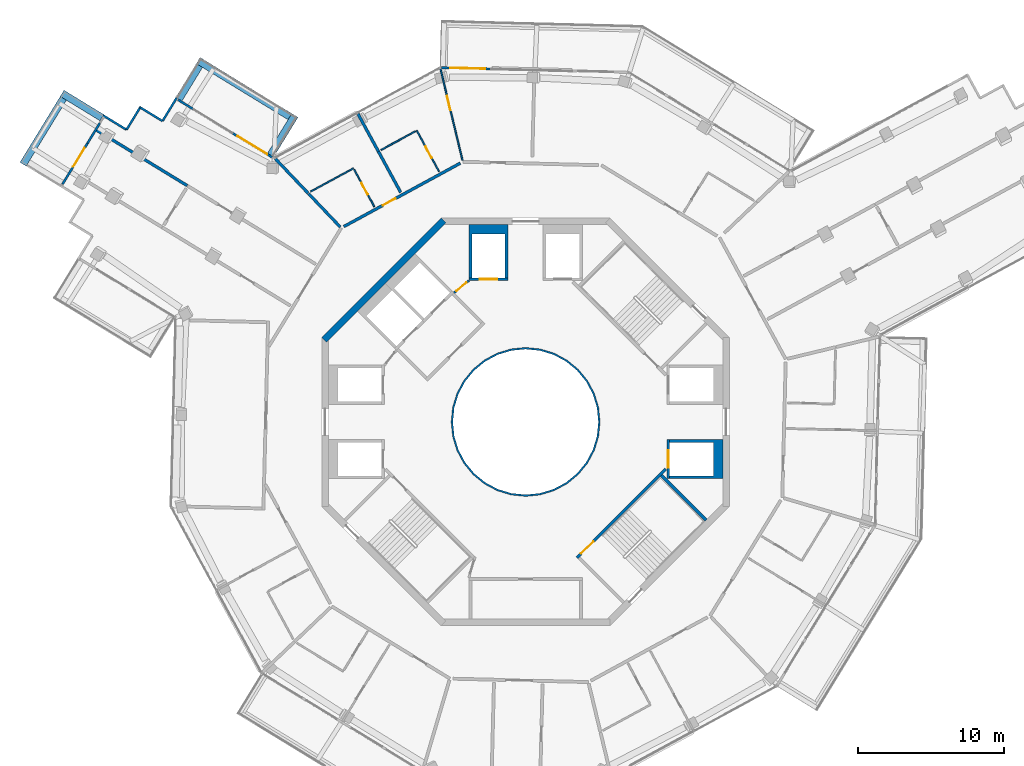
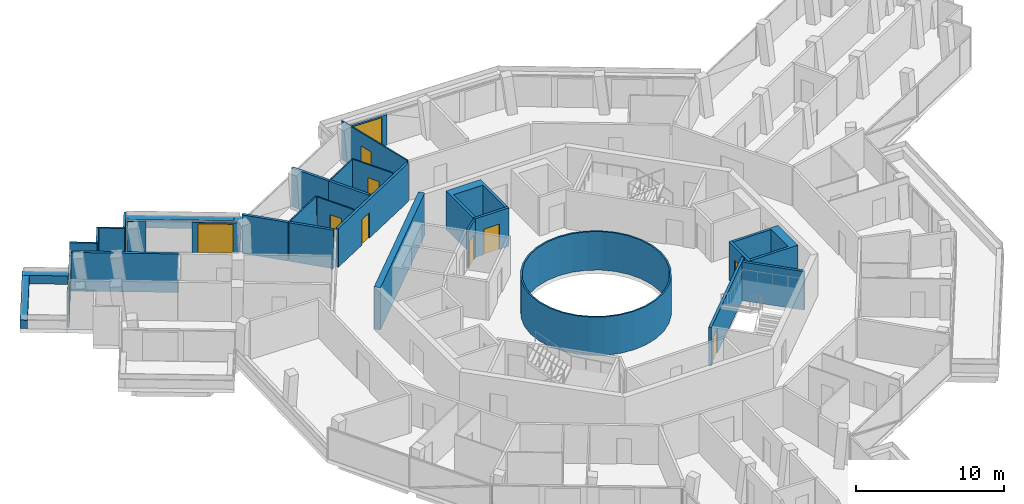
# One storey, part 19 of 24: 34 walls, 11 doors, 11 openings.
"""IFC4 building model written with IfcOpenShell, lengths in metres."""

from ifc_helpers import new_model, si_unit, direction, frame, frame_2d, origin, place, context, subcontext, project, spatial, polyline, rectangle, outline, extrude, material, layer, layer_set, type_object, element, fill, save


model = new_model("IFC4")

# Units and contexts
model_context = context("Model", 3, precision=1e-05, world=origin(), true_north=direction((0.0, 1.0)))
body_context = subcontext(model_context, "Body", "Model", "MODEL_VIEW")
ifc_project = project(units=[si_unit("LENGTHUNIT", "METRE"), si_unit("AREAUNIT", "SQUARE_METRE"), si_unit("VOLUMEUNIT", "CUBIC_METRE"), si_unit("PLANEANGLEUNIT", "RADIAN"), si_unit("MASSUNIT", "GRAM", prefix="KILO")], contexts=[model_context])

# Site, building, storey
site_placement = place(None, origin())
site = spatial("IfcSite", under=ifc_project, at=site_placement, CompositionType="ELEMENT")
building_placement = place(site_placement, origin())
building = spatial("IfcBuilding", under=site, at=building_placement, Name="Verdalira Terraces Hotel", CompositionType="ELEMENT")
storey_placement = place(building_placement, frame((0.0, 0.0, 274.0)))
storey = spatial("IfcBuildingStorey", under=building, at=storey_placement, Name="L67", CompositionType="ELEMENT", Elevation=274.0)

# Walls
ifc_material_1 = material(Name="Fire-resisting glass EI 180", Category="glass")
ifc_layer_1 = layer(ifc_material_1, 0.1201171875)
ifc_layer_set_1 = layer_set([ifc_layer_1], Name="Atrium fire screen 120 mm")
wall_type_1 = type_object("IfcWallType", Name="Atrium fire screen 120 mm", PredefinedType="SOLIDWALL", material=ifc_layer_set_1)
wall_1_placement = place(storey_placement, origin())
element("IfcWall", 1, at=wall_1_placement, inside=storey, type_object=wall_type_1, Name="Atrium fire screen", PredefinedType="SOLIDWALL", context=body_context, shape_type="SweptSolid", body=[
    extrude(outline(polyline([(5.021484, -0.998779), (4.730225, -1.959229), (4.25708, -2.844482), (3.620361, -3.620361), (2.844482, -4.25708), (1.959229, -4.730225), (0.998779, -5.021484), (0.0, -5.120117), (-0.998779, -5.021484), (-1.959229, -4.730225), (-2.844482, -4.25708), (-3.620361, -3.620361), (-4.25708, -2.844482), (-4.730225, -1.959229), (-5.021484, -0.998779), (-5.120117, 0.0), (-5.021484, 0.998779), (-4.730225, 1.959229), (-4.25708, 2.844482), (-3.620361, 3.620361), (-2.844482, 4.25708), (-1.959229, 4.730225), (-0.998779, 5.021484), (0.0, 5.120117), (0.998779, 5.021484), (1.959229, 4.730225), (2.844482, 4.25708), (3.620361, 3.620361), (4.25708, 2.844482), (4.730225, 1.959229), (5.021484, 0.998779), (5.120117, 0.0), (5.021484, -0.998779)]), holes=[polyline([(4.903809, 0.975586), (4.619385, 1.91333), (4.157227, 2.777832), (3.5354, 3.5354), (2.777832, 4.157227), (1.91333, 4.619385), (0.975586, 4.903809), (0.0, 5.0), (-0.975586, 4.903809), (-1.91333, 4.619385), (-2.777832, 4.157227), (-3.5354, 3.5354), (-4.157227, 2.777832), (-4.619385, 1.91333), (-4.903809, 0.975586), (-5.0, 0.0), (-4.903809, -0.975586), (-4.619385, -1.91333), (-4.157227, -2.777832), (-3.5354, -3.5354), (-2.777832, -4.157227), (-1.91333, -4.619385), (-0.975586, -4.903809), (0.0, -5.0), (0.975586, -4.903809), (1.91333, -4.619385), (2.777832, -4.157227), (3.5354, -3.5354), (4.157227, -2.777832), (4.619385, -1.91333), (4.903809, -0.975586), (5.0, 0.0), (4.903809, 0.975586)])]), origin(), (0.0, 0.0, 1.0), 3.189941),
])
ifc_material_2 = material(Name="Concrete C40", Category="concrete")
ifc_layer_2 = layer(ifc_material_2, 0.5)
ifc_layer_set_2 = layer_set([ifc_layer_2], Name="Balcony planter trough with tree")
wall_type_2 = type_object("IfcWallType", Name="Balcony planter trough with tree", PredefinedType="SOLIDWALL", material=ifc_layer_set_2)
wall_2_placement = place(storey_placement, frame((-29.112305, 20.904053, 0.0), z_axis=(0.0, 0.0, 1.0), x_axis=(-0.853166735, 0.521638307, 0.0)))
element("IfcWall", 2, at=wall_2_placement, inside=storey, type_object=wall_type_2, Name="Balcony planter", PredefinedType="SOLIDWALL", context=body_context, shape_type="SweptSolid", body=[
    extrude(rectangle(XDim=3.198975, YDim=0.5, at=frame_2d((1.599609, 0.0))), origin(), (0.0, 0.0, 1.0), 0.699951),
])
wall_3_placement = place(storey_placement, frame((-31.758789, 22.229004, 0.0), z_axis=(0.0, 0.0, 1.0), x_axis=(-0.521604658, -0.853187307, 0.0)))
element("IfcWall", 3, at=wall_3_placement, inside=storey, type_object=wall_type_2, Name="Balcony planter", PredefinedType="SOLIDWALL", context=body_context, shape_type="SweptSolid", body=[
    extrude(rectangle(XDim=5.299805, YDim=0.5, at=frame_2d((2.649902, 0.0))), origin(), (0.0, 0.0, 1.0), 0.699951),
])
wall_4_placement = place(storey_placement, frame((-17.519287, 18.330322, 0.0), z_axis=(0.0, 0.0, 1.0), x_axis=(0.521638307, 0.853166735, 0.0)))
element("IfcWall", 4, at=wall_4_placement, inside=storey, type_object=wall_type_2, Name="Balcony planter", PredefinedType="SOLIDWALL", context=body_context, shape_type="SweptSolid", body=[
    extrude(rectangle(XDim=3.198975, YDim=0.5, at=frame_2d((1.599609, 0.0))), origin(), (0.0, 0.0, 1.0), 0.699951),
])
wall_5_placement = place(storey_placement, frame((-16.194336, 20.976807, 0.0), z_axis=(0.0, 0.0, 1.0), x_axis=(-0.853203348, 0.521578419, 0.0)))
element("IfcWall", 5, at=wall_5_placement, inside=storey, type_object=wall_type_2, Name="Balcony planter", PredefinedType="SOLIDWALL", context=body_context, shape_type="SweptSolid", body=[
    extrude(rectangle(XDim=7.382568, YDim=0.5, at=frame_2d((3.691406, 0.0))), origin(), (0.0, 0.0, 1.0), 0.699951),
])
wall_6_placement = place(storey_placement, frame((-22.410156, 24.483887, 0.0), z_axis=(0.0, 0.0, 1.0), x_axis=(-0.521581727, -0.853201326, 0.0)))
element("IfcWall", 6, at=wall_6_placement, inside=storey, type_object=wall_type_2, Name="Balcony planter", PredefinedType="SOLIDWALL", context=body_context, shape_type="SweptSolid", body=[
    extrude(rectangle(XDim=2.698975, YDim=0.5, at=frame_2d((1.349609, 0.0))), origin(), (0.0, 0.0, 1.0), 0.699951),
])
ifc_material_3 = material(Name="Moisture-resistant gypsum board partition")
ifc_layer_3 = layer(ifc_material_3, 0.10009765625)
ifc_layer_set_3 = layer_set([ifc_layer_3], Name="Bathroom partition 100 mm")
wall_type_3 = type_object("IfcWallType", Name="Bathroom partition 100 mm", PredefinedType="PARTITIONING", material=ifc_layer_set_3)
wall_7_placement = place(storey_placement, frame((-14.770264, 15.822266, 0.0), z_axis=(0.0, 0.0, 1.0), x_axis=(0.878304625, 0.478101439, 0.0)))
element("IfcWall", 7, at=wall_7_placement, inside=storey, type_object=wall_type_3, Name="Bathroom partition", PredefinedType="PARTITIONING", context=body_context, shape_type="SweptSolid", body=[
    extrude(rectangle(XDim=3.350342, YDim=0.100098, at=frame_2d((1.675293, 0.0))), origin(), (0.0, 0.0, 1.0), 3.189941),
])

# Wall, opening, door
wall_8_placement = place(storey_placement, frame((-10.393311, 14.789062, 0.0), z_axis=(0.0, 0.0, 1.0), x_axis=(-0.478091061, 0.878310274, 0.0)))
wall_8 = element("IfcWall", 8, at=wall_8_placement, inside=storey, type_object=wall_type_3, Name="Bathroom partition", PredefinedType="PARTITIONING", context=body_context, shape_type="SweptSolid", body=[
    extrude(rectangle(XDim=2.899902, YDim=0.100098, at=frame_2d((1.449951, 0.0))), origin(), (0.0, 0.0, 1.0), 3.189941),
])
opening_1_placement = place(wall_8_placement, frame((0.949951, 0.0, 0.0)))
opening_1 = element("IfcOpeningElement", 9, at=opening_1_placement, cuts=wall_8, Name="Opening L67-134", PredefinedType="OPENING", context=body_context, shape_type="SweptSolid", body=[
    extrude(rectangle(XDim=0.899902, YDim=2.100098, at=frame_2d((0.449951, 1.050049))), frame((0.0, 0.060059, 0.0), z_axis=(0.0, -1.0, 0.0), x_axis=(1.0, 0.0, 0.0)), (0.0, 0.0, 1.0), 0.120117),
])
ifc_material_4 = material(Name="Timber door", Category="wood")
door_type_1 = type_object("IfcDoorType", Name="Bathroom door 900 x 2100", OperationType="NOTDEFINED", PredefinedType="DOOR", material=ifc_material_4)
door_1_placement = place(opening_1_placement, origin())
door_1 = element("IfcDoor", 10, at=door_1_placement, inside=storey, type_object=door_type_1, Name="Bathroom door 6711", OperationType="SINGLE_SWING_RIGHT", OverallHeight=2.10009765625, OverallWidth=0.89990234375, PredefinedType="DOOR", context=body_context, shape_type="SweptSolid", body=[
    extrude(rectangle(XDim=0.899902, YDim=2.100098, at=frame_2d((0.449951, 1.050049))), frame((0.0, 0.024902, 0.0), z_axis=(0.0, -1.0, 0.0), x_axis=(1.0, 0.0, 0.0)), (0.0, 0.0, 1.0), 0.050049),
])
fill(opening_1, door_1)

# Wall
wall_9_placement = place(storey_placement, frame((-7.568115, 19.970215, 0.0), z_axis=(0.0, 0.0, 1.0), x_axis=(-0.878296088, -0.478117121, 0.0)))
element("IfcWall", 11, at=wall_9_placement, inside=storey, type_object=wall_type_3, Name="Bathroom partition", PredefinedType="PARTITIONING", context=body_context, shape_type="SweptSolid", body=[
    extrude(rectangle(XDim=2.700195, YDim=0.100098, at=frame_2d((1.350098, 0.0))), origin(), (0.0, 0.0, 1.0), 3.189941),
])

# Wall, opening, door
wall_10_placement = place(storey_placement, frame((-5.950439, 17.207275, 0.0), z_axis=(0.0, 0.0, 1.0), x_axis=(-0.478098304, 0.878306331, 0.0)))
wall_10 = element("IfcWall", 12, at=wall_10_placement, inside=storey, type_object=wall_type_3, Name="Bathroom partition", PredefinedType="PARTITIONING", context=body_context, shape_type="SweptSolid", body=[
    extrude(rectangle(XDim=3.200195, YDim=0.100098, at=frame_2d((1.600098, 0.0))), origin(), (0.0, 0.0, 1.0), 3.189941),
])
opening_2_placement = place(wall_10_placement, frame((1.050049, 0.0, 0.0)))
opening_2 = element("IfcOpeningElement", 13, at=opening_2_placement, cuts=wall_10, Name="Opening L67-132", PredefinedType="OPENING", context=body_context, shape_type="SweptSolid", body=[
    extrude(rectangle(XDim=0.899902, YDim=2.100098, at=frame_2d((0.449951, 1.050049))), frame((0.0, 0.060059, 0.0), z_axis=(0.0, -1.0, 0.0), x_axis=(1.0, 0.0, 0.0)), (0.0, 0.0, 1.0), 0.120117),
])
door_2_placement = place(opening_2_placement, origin())
door_2 = element("IfcDoor", 14, at=door_2_placement, inside=storey, type_object=door_type_1, Name="Bathroom door 6710", OperationType="SINGLE_SWING_RIGHT", OverallHeight=2.10009765625, OverallWidth=0.89990234375, PredefinedType="DOOR", context=body_context, shape_type="SweptSolid", body=[
    extrude(rectangle(XDim=0.899902, YDim=2.100098, at=frame_2d((0.449951, 1.050049))), frame((0.0, 0.024902, 0.0), z_axis=(0.0, -1.0, 0.0), x_axis=(1.0, 0.0, 0.0)), (0.0, 0.0, 1.0), 0.050049),
])
fill(opening_2, door_2)

wall_11_placement = place(storey_placement, frame((-4.334717, 17.9729, 0.0), z_axis=(0.0, 0.0, 1.0), x_axis=(-0.234490664, 0.972118372, 0.0)))
wall_11 = element("IfcWall", 15, at=wall_11_placement, inside=storey, type_object=wall_type_3, Name="Bathroom partition", PredefinedType="PARTITIONING", context=body_context, shape_type="SweptSolid", body=[
    extrude(rectangle(XDim=6.476074, YDim=0.100098, at=frame_2d((3.238037, 0.0))), origin(), (0.0, 0.0, 1.0), 3.189941),
])
opening_3_placement = place(wall_11_placement, frame((3.550049, 0.0, 0.0)))
opening_3 = element("IfcOpeningElement", 16, at=opening_3_placement, cuts=wall_11, Name="Opening L67-131", PredefinedType="OPENING", context=body_context, shape_type="SweptSolid", body=[
    extrude(rectangle(XDim=1.0, YDim=2.100098, at=frame_2d((0.5, 1.050049))), frame((0.0, 0.060059, 0.0), z_axis=(0.0, -1.0, 0.0), x_axis=(1.0, 0.0, 0.0)), (0.0, 0.0, 1.0), 0.120117),
])
ifc_material_5 = material(Name="Timber door", Category="wood")
door_type_2 = type_object("IfcDoorType", Name="Suite internal door 1000 x 2100", OperationType="NOTDEFINED", PredefinedType="DOOR", material=ifc_material_5)
door_3_placement = place(opening_3_placement, origin())
door_3 = element("IfcDoor", 17, at=door_3_placement, inside=storey, type_object=door_type_2, Name="Suite internal door 6710", OperationType="SINGLE_SWING_LEFT", OverallHeight=2.10009765625, OverallWidth=1.0, PredefinedType="DOOR", context=body_context, shape_type="SweptSolid", body=[
    extrude(rectangle(XDim=1.0, YDim=2.100098, at=frame_2d((0.5, 1.050049))), frame((0.0, 0.024902, 0.0), z_axis=(0.0, -1.0, 0.0), x_axis=(1.0, 0.0, 0.0)), (0.0, 0.0, 1.0), 0.050049),
])
fill(opening_3, door_3)

# Wall
ifc_material_6 = material(Name="Concrete C50", Category="concrete")
ifc_layer_4 = layer(ifc_material_6, 0.199951171875)
ifc_layer_set_4 = layer_set([ifc_layer_4], Name="Core RC wall 200 C50")
wall_type_4 = type_object("IfcWallType", Name="Core RC wall 200 C50", PredefinedType="SOLIDWALL", material=ifc_layer_set_4)
wall_12_placement = place(storey_placement, origin())
element("IfcWall", 18, at=wall_12_placement, inside=storey, type_object=wall_type_4, Name="L67 shaft wall E1", PredefinedType="SOLIDWALL", context=body_context, shape_type="SweptSolid", body=[
    extrude(outline(polyline([(13.550049, -3.899902), (9.899902, -3.899902), (9.899902, -3.699951), (12.899902, -3.699951), (12.899902, -1.399902), (9.899902, -1.399902), (9.899902, -1.199951), (13.550049, -1.199951), (13.550049, -3.899902)])), origin(), (0.0, 0.0, 1.0), 3.189941),
])

# Wall, opening, door
wall_13_placement = place(storey_placement, frame((9.800049, -1.199951, 0.0), z_axis=(0.0, 0.0, 1.0), x_axis=(0.0, -1.0, 0.0)))
wall_13 = element("IfcWall", 19, at=wall_13_placement, inside=storey, type_object=wall_type_4, Name="L67 shaft front wall E1", PredefinedType="SOLIDWALL", context=body_context, shape_type="SweptSolid", body=[
    extrude(rectangle(XDim=2.699951, YDim=0.199951, at=frame_2d((1.350098, 0.0))), origin(), (0.0, 0.0, 1.0), 3.189941),
])
opening_4_placement = place(wall_13_placement, frame((0.75, 0.0, 0.0)))
opening_4 = element("IfcOpeningElement", 20, at=opening_4_placement, cuts=wall_13, Name="Opening LD-L67-802", PredefinedType="OPENING", context=body_context, shape_type="SweptSolid", body=[
    extrude(rectangle(XDim=1.199951, YDim=2.100098, at=frame_2d((0.600098, 1.050049))), frame((0.0, 0.109863, 0.0), z_axis=(0.0, -1.0, 0.0), x_axis=(1.0, 0.0, 0.0)), (0.0, 0.0, 1.0), 0.219971),
])
ifc_material_7 = material(Name="Stainless steel", Category="steel")
door_type_3 = type_object("IfcDoorType", Name="Landing door 1200 x 2100", OperationType="NOTDEFINED", PredefinedType="DOOR", material=ifc_material_7)
door_4_placement = place(opening_4_placement, origin())
door_4 = element("IfcDoor", 21, at=door_4_placement, inside=storey, type_object=door_type_3, Name="Lift landing door HR1 L67", OperationType="DOUBLE_DOOR_SLIDING", OverallHeight=2.10009765625, OverallWidth=1.199951171875, PredefinedType="DOOR", context=body_context, shape_type="SweptSolid", body=[
    extrude(rectangle(XDim=1.199951, YDim=2.100098, at=frame_2d((0.600098, 1.050049))), frame((0.0, 0.024902, 0.0), z_axis=(0.0, -1.0, 0.0), x_axis=(1.0, 0.0, 0.0)), (0.0, 0.0, 1.0), 0.050049),
])
fill(opening_4, door_4)

# Wall
wall_14_placement = place(storey_placement, origin())
element("IfcWall", 22, at=wall_14_placement, inside=storey, type_object=wall_type_4, Name="L67 shaft wall N2", PredefinedType="SOLIDWALL", context=body_context, shape_type="SweptSolid", body=[
    extrude(outline(polyline([(-3.899902, 13.550049), (-1.199951, 13.550049), (-1.199951, 9.899902), (-1.399902, 9.899902), (-1.399902, 12.899902), (-3.699951, 12.899902), (-3.699951, 9.899902), (-3.899902, 9.899902), (-3.899902, 13.550049)])), origin(), (0.0, 0.0, 1.0), 3.189941),
])

# Wall, opening, door
wall_15_placement = place(storey_placement, frame((-1.199951, 9.800049, 0.0), z_axis=(0.0, 0.0, 1.0), x_axis=(-1.0, 0.0, 0.0)))
wall_15 = element("IfcWall", 23, at=wall_15_placement, inside=storey, type_object=wall_type_4, Name="L67 shaft front wall N2", PredefinedType="SOLIDWALL", context=body_context, shape_type="SweptSolid", body=[
    extrude(rectangle(XDim=2.699951, YDim=0.199951, at=frame_2d((1.350098, 0.0))), origin(), (0.0, 0.0, 1.0), 3.189941),
])
opening_5_placement = place(wall_15_placement, frame((0.75, 0.0, 0.0)))
opening_5 = element("IfcOpeningElement", 24, at=opening_5_placement, cuts=wall_15, Name="Opening LD-L67-805", PredefinedType="OPENING", context=body_context, shape_type="SweptSolid", body=[
    extrude(rectangle(XDim=1.199951, YDim=2.100098, at=frame_2d((0.600098, 1.050049))), frame((0.0, 0.109863, 0.0), z_axis=(0.0, -1.0, 0.0), x_axis=(1.0, 0.0, 0.0)), (0.0, 0.0, 1.0), 0.219971),
])
door_5_placement = place(opening_5_placement, origin())
door_5 = element("IfcDoor", 25, at=door_5_placement, inside=storey, type_object=door_type_3, Name="Lift landing door HR4 L67", OperationType="DOUBLE_DOOR_SLIDING", OverallHeight=2.10009765625, OverallWidth=1.199951171875, PredefinedType="DOOR", context=body_context, shape_type="SweptSolid", body=[
    extrude(rectangle(XDim=1.199951, YDim=2.100098, at=frame_2d((0.600098, 1.050049))), frame((0.0, 0.024902, 0.0), z_axis=(0.0, -1.0, 0.0), x_axis=(1.0, 0.0, 0.0)), (0.0, 0.0, 1.0), 0.050049),
])
fill(opening_5, door_5)

wall_16_placement = place(storey_placement, frame((9.629395, -3.23999, 0.0), z_axis=(0.0, 0.0, 1.0), x_axis=(-0.707120946, -0.707092617, 0.0)))
wall_16 = element("IfcWall", 26, at=wall_16_placement, inside=storey, type_object=wall_type_4, Name="L67 stair ST3 front wall", PredefinedType="SOLIDWALL", context=body_context, shape_type="SweptSolid", body=[
    extrude(rectangle(XDim=8.61792, YDim=0.199951, at=frame_2d((4.309082, 0.0))), origin(), (0.0, 0.0, 1.0), 3.189941),
])
opening_6_placement = place(wall_16_placement, frame((7.017822, 0.0, 0.0)))
opening_6 = element("IfcOpeningElement", 27, at=opening_6_placement, cuts=wall_16, Name="Opening L67-812", PredefinedType="OPENING", context=body_context, shape_type="SweptSolid", body=[
    extrude(rectangle(XDim=1.199951, YDim=2.100098, at=frame_2d((0.600098, 1.050049))), frame((0.0, 0.109863, 0.0), z_axis=(0.0, -1.0, 0.0), x_axis=(1.0, 0.0, 0.0)), (0.0, 0.0, 1.0), 0.219971),
])
ifc_material_8 = material(Name="Steel fire door", Category="steel")
door_type_4 = type_object("IfcDoorType", Name="Stair door 1200 x 2100", OperationType="NOTDEFINED", PredefinedType="DOOR", material=ifc_material_8)
door_6_placement = place(opening_6_placement, origin())
door_6 = element("IfcDoor", 28, at=door_6_placement, inside=storey, type_object=door_type_4, Name="Stair door ST3 L67", OperationType="SINGLE_SWING_RIGHT", OverallHeight=2.10009765625, OverallWidth=1.199951171875, PredefinedType="DOOR", context=body_context, shape_type="SweptSolid", body=[
    extrude(rectangle(XDim=1.199951, YDim=2.100098, at=frame_2d((0.600098, 1.050049))), frame((0.0, 0.024902, 0.0), z_axis=(0.0, -1.0, 0.0), x_axis=(1.0, 0.0, 0.0)), (0.0, 0.0, 1.0), 0.050049),
])
fill(opening_6, door_6)

# Wall
wall_17_placement = place(storey_placement, frame((9.33374, -3.677002, 0.0), z_axis=(0.0, 0.0, 1.0), x_axis=(0.707106781, -0.707106781, 0.0)))
element("IfcWall", 29, at=wall_17_placement, inside=storey, type_object=wall_type_4, Name="L67 stair ST3 end wall 2", PredefinedType="SOLIDWALL", context=body_context, shape_type="SweptSolid", body=[
    extrude(rectangle(XDim=4.350098, YDim=0.199951, at=frame_2d((2.175049, 0.0))), origin(), (0.0, 0.0, 1.0), 3.189941),
])

# Wall, opening, door
ifc_material_9 = material(Name="Gypsum board partition")
ifc_layer_5 = layer(ifc_material_9, 0.14990234375)
ifc_layer_set_5 = layer_set([ifc_layer_5], Name="Core partition 150 mm")
wall_type_5 = type_object("IfcWallType", Name="Core partition 150 mm", PredefinedType="PARTITIONING", material=ifc_layer_set_5)
wall_18_placement = place(storey_placement, frame((-3.899902, 9.699951, 0.0), z_axis=(0.0, 0.0, 1.0), x_axis=(-0.775559878, -0.631274009, 0.0)))
wall_18 = element("IfcWall", 30, at=wall_18_placement, inside=storey, type_object=wall_type_5, Name="Room partition L67", PredefinedType="PARTITIONING", context=body_context, shape_type="SweptSolid", body=[
    extrude(rectangle(XDim=1.307861, YDim=0.149902, at=frame_2d((0.653809, 0.0))), origin(), (0.0, 0.0, 1.0), 3.189941),
])
opening_7_placement = place(wall_18_placement, frame((0.204102, 0.0, 0.0)))
opening_7 = element("IfcOpeningElement", 31, at=opening_7_placement, cuts=wall_18, Name="Opening L67-820", PredefinedType="OPENING", context=body_context, shape_type="SweptSolid", body=[
    extrude(rectangle(XDim=0.899902, YDim=2.100098, at=frame_2d((0.449951, 1.050049))), frame((0.0, 0.084961, 0.0), z_axis=(0.0, -1.0, 0.0), x_axis=(1.0, 0.0, 0.0)), (0.0, 0.0, 1.0), 0.169922),
])
ifc_material_10 = material(Name="Steel fire door", Category="steel")
door_type_5 = type_object("IfcDoorType", Name="Core room door 900 x 2100", OperationType="NOTDEFINED", PredefinedType="DOOR", material=ifc_material_10)
door_7_placement = place(opening_7_placement, origin())
door_7 = element("IfcDoor", 32, at=door_7_placement, inside=storey, type_object=door_type_5, Name="Door L67 room2", OperationType="SINGLE_SWING_LEFT", OverallHeight=2.10009765625, OverallWidth=0.89990234375, PredefinedType="DOOR", context=body_context, shape_type="SweptSolid", body=[
    extrude(rectangle(XDim=0.899902, YDim=2.100098, at=frame_2d((0.449951, 1.050049))), frame((0.0, 0.024902, 0.0), z_axis=(0.0, -1.0, 0.0), x_axis=(1.0, 0.0, 0.0)), (0.0, 0.0, 1.0), 0.050049),
])
fill(opening_7, door_7)

# Walls
ifc_material_11 = material(Name="Concrete C50", Category="concrete")
ifc_layer_6 = layer(ifc_material_11, 0.449951171875)
ifc_layer_set_6 = layer_set([ifc_layer_6], Name="Core wall 450 C50")
wall_type_6 = type_object("IfcWallType", Name="Core wall 450 C50", PredefinedType="SHEAR", material=ifc_layer_set_6)
wall_19_placement = place(storey_placement, frame((-5.639893, 13.84082, 0.0), z_axis=(0.0, 0.0, 1.0), x_axis=(-0.707106781, -0.707106781, 0.0)))
element("IfcWall", 33, at=wall_19_placement, inside=storey, type_object=wall_type_6, Name="Core wall CW-L67-4", PredefinedType="SHEAR", context=body_context, shape_type="SweptSolid", body=[
    extrude(rectangle(XDim=11.5979, YDim=0.449951, at=frame_2d((5.798828, 0.0))), origin(), (0.0, 0.0, 1.0), 3.5),
])
ifc_material_12 = material(Name="Fire-rated gypsum board wall")
ifc_layer_7 = layer(ifc_material_12, 0.199951171875)
ifc_layer_set_7 = layer_set([ifc_layer_7], Name="Demising wall 200 mm")
wall_type_7 = type_object("IfcWallType", Name="Demising wall 200 mm", PredefinedType="SOLIDWALL", material=ifc_layer_set_7)
wall_20_placement = place(storey_placement, frame((-23.251221, 16.236084, 0.0), z_axis=(0.0, 0.0, 1.0), x_axis=(-0.853193176, 0.521595058, 0.0)))
element("IfcWall", 34, at=wall_20_placement, inside=storey, type_object=wall_type_7, Name="Demising wall", PredefinedType="SOLIDWALL", context=body_context, shape_type="SweptSolid", body=[
    extrude(rectangle(XDim=7.284424, YDim=0.199951, at=frame_2d((3.64209, 0.0))), origin(), (0.0, 0.0, 1.0), 3.189941),
])
wall_21_placement = place(storey_placement, frame((-17.203125, 18.090332, 0.0), z_axis=(0.0, 0.0, 1.0), x_axis=(0.689106643, -0.724659944, 0.0)))
element("IfcWall", 35, at=wall_21_placement, inside=storey, type_object=wall_type_7, Name="Demising wall", PredefinedType="SOLIDWALL", context=body_context, shape_type="SweptSolid", body=[
    extrude(rectangle(XDim=3.268555, YDim=0.199951, at=frame_2d((1.634277, 0.0))), origin(), (0.0, 0.0, 1.0), 3.189941),
])
wall_22_placement = place(storey_placement, frame((-14.919189, 15.688477, 0.0), z_axis=(0.0, 0.0, 1.0), x_axis=(0.689161356, -0.724607912, 0.0)))
element("IfcWall", 36, at=wall_22_placement, inside=storey, type_object=wall_type_7, Name="Demising wall", PredefinedType="SOLIDWALL", context=body_context, shape_type="SweptSolid", body=[
    extrude(rectangle(XDim=3.161377, YDim=0.199951, at=frame_2d((1.580566, 0.0))), origin(), (0.0, 0.0, 1.0), 3.189941),
])
wall_23_placement = place(storey_placement, frame((-10.115234, 18.58374, 0.0), z_axis=(0.0, 0.0, 1.0), x_axis=(-0.478092371, 0.878309561, 0.0)))
element("IfcWall", 37, at=wall_23_placement, inside=storey, type_object=wall_type_7, Name="Demising wall", PredefinedType="SOLIDWALL", context=body_context, shape_type="SweptSolid", body=[
    extrude(rectangle(XDim=2.949951, YDim=0.199951, at=frame_2d((1.475098, 0.0))), origin(), (0.0, 0.0, 1.0), 3.189941),
])
wall_24_placement = place(storey_placement, frame((-8.585449, 15.773193, 0.0), z_axis=(0.0, 0.0, 1.0), x_axis=(-0.478071486, 0.878320929, 0.0)))
element("IfcWall", 38, at=wall_24_placement, inside=storey, type_object=wall_type_7, Name="Demising wall", PredefinedType="SOLIDWALL", context=body_context, shape_type="SweptSolid", body=[
    extrude(rectangle(XDim=3.199951, YDim=0.199951, at=frame_2d((1.600098, 0.0))), origin(), (0.0, 0.0, 1.0), 3.189941),
])

# Wall, opening, door
ifc_material_13 = material(Name="Fire-rated gypsum board wall")
ifc_layer_8 = layer(ifc_material_13, 0.199951171875)
ifc_layer_set_8 = layer_set([ifc_layer_8], Name="Guest corridor wall 200 mm")
wall_type_8 = type_object("IfcWallType", Name="Guest corridor wall 200 mm", PredefinedType="SOLIDWALL", material=ifc_layer_set_8)
wall_25_placement = place(storey_placement, frame((-12.493408, 13.418213, 0.0), z_axis=(0.0, 0.0, 1.0), x_axis=(0.878320972, 0.478071407, 0.0)))
wall_25 = element("IfcWall", 39, at=wall_25_placement, inside=storey, type_object=wall_type_8, Name="Guest corridor wall", PredefinedType="SOLIDWALL", context=body_context, shape_type="SweptSolid", body=[
    extrude(rectangle(XDim=9.116699, YDim=0.199951, at=frame_2d((4.55835, 0.0))), origin(), (0.0, 0.0, 1.0), 3.189941),
])
opening_8_placement = place(wall_25_placement, frame((3.050049, 0.0, 0.0)))
opening_8 = element("IfcOpeningElement", 40, at=opening_8_placement, cuts=wall_25, Name="Opening L67-133", PredefinedType="OPENING", context=body_context, shape_type="SweptSolid", body=[
    extrude(rectangle(XDim=1.0, YDim=2.100098, at=frame_2d((0.5, 1.050049))), frame((0.0, 0.109863, 0.0), z_axis=(0.0, -1.0, 0.0), x_axis=(1.0, 0.0, 0.0)), (0.0, 0.0, 1.0), 0.219971),
])
ifc_material_14 = material(Name="Timber fire door", Category="wood")
door_type_6 = type_object("IfcDoorType", Name="Guest entry door 1000 x 2100", OperationType="NOTDEFINED", PredefinedType="DOOR", material=ifc_material_14)
door_8_placement = place(opening_8_placement, origin())
door_8 = element("IfcDoor", 41, at=door_8_placement, inside=storey, type_object=door_type_6, Name="Guest entry door 6711", OperationType="SINGLE_SWING_RIGHT", OverallHeight=2.10009765625, OverallWidth=1.0, PredefinedType="DOOR", context=body_context, shape_type="SweptSolid", body=[
    extrude(rectangle(XDim=1.0, YDim=2.100098, at=frame_2d((0.5, 1.050049))), frame((0.0, 0.024902, 0.0), z_axis=(0.0, -1.0, 0.0), x_axis=(1.0, 0.0, 0.0)), (0.0, 0.0, 1.0), 0.050049),
])
fill(opening_8, door_8)

# Walls
ifc_material_15 = material(Name="Terracotta cladding", Category="masonry")
ifc_layer_9 = layer(ifc_material_15, 0.14990234375)
ifc_layer_set_9 = layer_set([ifc_layer_9], Name="Terracotta clad wall 150")
wall_type_9 = type_object("IfcWallType", Name="Terracotta clad wall 150", PredefinedType="SOLIDWALL", material=ifc_layer_set_9)
wall_26_placement = place(storey_placement, frame((-23.967773, 22.271484, 0.0), z_axis=(0.0, 0.0, 1.0), x_axis=(-0.521639612, -0.853165936, 0.0)))
element("IfcWall", 42, at=wall_26_placement, inside=storey, type_object=wall_type_9, Name="Terracotta cladding wall", PredefinedType="SOLIDWALL", context=body_context, shape_type="SweptSolid", body=[
    extrude(rectangle(XDim=1.875, YDim=0.149902, at=frame_2d((0.9375, 0.0))), origin(), (0.0, 0.0, 1.0), 3.189941),
])
wall_27_placement = place(storey_placement, frame((-24.945801, 20.671875, 0.0), z_axis=(0.0, 0.0, 1.0), x_axis=(-0.853214766, 0.521559741, 0.0)))
element("IfcWall", 43, at=wall_27_placement, inside=storey, type_object=wall_type_9, Name="Terracotta cladding wall", PredefinedType="SOLIDWALL", context=body_context, shape_type="SweptSolid", body=[
    extrude(rectangle(XDim=1.799805, YDim=0.149902, at=frame_2d((0.899902, 0.0))), origin(), (0.0, 0.0, 1.0), 3.189941),
])
for number, where, z_axis, x_axis, name in (
    (44, (-26.442383, 21.674561, 0.0), (0.0, 0.0, 1.0), (-0.521639612, -0.853165936, 0.0), "Terracotta cladding wall"),
    (45, (-27.42041, 20.074951, 0.0), (0.0, 0.0, 1.0), (-0.853201363, 0.521581666, 0.0), "Terracotta cladding wall"),
):
    element("IfcWall", number, at=place(storey_placement, frame(where, z_axis=z_axis, x_axis=x_axis)), inside=storey, type_object=wall_type_9, Name=name, PredefinedType="SOLIDWALL", context=body_context, shape_type="SweptSolid", body=[
        extrude(rectangle(XDim=1.875, YDim=0.149902, at=frame_2d((0.9375, 0.0))), origin(), (0.0, 0.0, 1.0), 3.189941),
    ])
ifc_material_16 = material(Name="Terracotta cladding", Category="masonry")
ifc_layer_10 = layer(ifc_material_16, 0.14990234375)
ifc_layer_set_10 = layer_set([ifc_layer_10], Name="Terracotta column pier 150")
wall_type_10 = type_object("IfcWallType", Name="Terracotta column pier 150", PredefinedType="SOLIDWALL", material=ifc_layer_set_10)
wall_28_placement = place(storey_placement, frame((-22.799561, 21.469482, 0.0), z_axis=(0.0, 0.0, 1.0), x_axis=(-0.853258075, 0.521488885, 0.0)))
element("IfcWall", 46, at=wall_28_placement, inside=storey, type_object=wall_type_10, Name="Terracotta column pier", PredefinedType="SOLIDWALL", context=body_context, shape_type="SweptSolid", body=[
    extrude(rectangle(XDim=1.27002, YDim=0.149902, at=frame_2d((0.63501, 0.0))), origin(), (0.0, 0.0, 1.0), 2.524902),
])
wall_29_placement = place(storey_placement, frame((-29.245605, 20.540283, 0.0), z_axis=(0.0, 0.0, 1.0), x_axis=(-0.521680213, -0.853141111, 0.0)))
element("IfcWall", 47, at=wall_29_placement, inside=storey, type_object=wall_type_10, Name="Terracotta column pier", PredefinedType="SOLIDWALL", context=body_context, shape_type="SweptSolid", body=[
    extrude(rectangle(XDim=1.630127, YDim=0.149902, at=frame_2d((0.814941, 0.0))), origin(), (0.0, 0.0, 1.0), 2.524902),
])

# Wall, opening, door
ifc_material_17 = material(Name="Terracotta cladding", Category="masonry")
ifc_layer_11 = layer(ifc_material_17, 0.14990234375)
ifc_layer_set_11 = layer_set([ifc_layer_11], Name="Terracotta door pier 150")
wall_type_11 = type_object("IfcWallType", Name="Terracotta door pier 150", PredefinedType="SOLIDWALL", material=ifc_layer_set_11)
wall_30_placement = place(storey_placement, frame((-17.405273, 18.171631, 0.0), z_axis=(0.0, 0.0, 1.0), x_axis=(-0.853215818, 0.52155802, 0.0)))
wall_30 = element("IfcWall", 48, at=wall_30_placement, inside=storey, type_object=wall_type_11, Name="Terracotta door pier", PredefinedType="SOLIDWALL", context=body_context, shape_type="SweptSolid", body=[
    extrude(rectangle(XDim=3.199951, YDim=0.149902, at=frame_2d((1.600098, 0.0))), origin(), (0.0, 0.0, 1.0), 2.524902),
])
opening_9_placement = place(wall_30_placement, frame((0.399902, 0.0, 0.0)))
opening_9 = element("IfcOpeningElement", 49, at=opening_9_placement, cuts=wall_30, Name="Opening L67-B01", PredefinedType="OPENING", context=body_context, shape_type="SweptSolid", body=[
    extrude(rectangle(XDim=2.399902, YDim=2.399902, at=frame_2d((1.199951, 1.199951))), frame((0.0, 0.084961, 0.0), z_axis=(0.0, -1.0, 0.0), x_axis=(1.0, 0.0, 0.0)), (0.0, 0.0, 1.0), 0.169922),
])
ifc_material_18 = material(Name="Clear glass", Category="glass")
door_type_7 = type_object("IfcDoorType", Name="Balcony sliding door 2400x2400", OperationType="NOTDEFINED", PredefinedType="DOOR", material=ifc_material_18)
door_9_placement = place(opening_9_placement, origin())
door_9 = element("IfcDoor", 50, at=door_9_placement, inside=storey, type_object=door_type_7, Name="Balcony sliding door", OperationType="SLIDING_TO_LEFT", OverallHeight=2.39990234375, OverallWidth=2.39990234375, PredefinedType="DOOR", context=body_context, shape_type="SweptSolid", body=[
    extrude(rectangle(XDim=2.399902, YDim=2.399902, at=frame_2d((1.199951, 1.199951))), frame((0.0, 0.024902, 0.0), z_axis=(0.0, -1.0, 0.0), x_axis=(1.0, 0.0, 0.0)), (0.0, 0.0, 1.0), 0.050049),
])
fill(opening_9, door_9)

wall_31_placement = place(storey_placement, frame((-30.095947, 19.149658, 0.0), z_axis=(0.0, 0.0, 1.0), x_axis=(-0.521593202, -0.85319431, 0.0)))
wall_31 = element("IfcWall", 51, at=wall_31_placement, inside=storey, type_object=wall_type_11, Name="Terracotta door pier", PredefinedType="SOLIDWALL", context=body_context, shape_type="SweptSolid", body=[
    extrude(rectangle(XDim=3.310059, YDim=0.149902, at=frame_2d((1.655029, 0.0))), origin(), (0.0, 0.0, 1.0), 2.524902),
])
opening_10_placement = place(wall_31_placement, frame((0.399902, 0.0, 0.0)))
opening_10 = element("IfcOpeningElement", 52, at=opening_10_placement, cuts=wall_31, Name="Opening L67-B02", PredefinedType="OPENING", context=body_context, shape_type="SweptSolid", body=[
    extrude(rectangle(XDim=1.5, YDim=2.399902, at=frame_2d((0.75, 1.199951))), frame((0.0, 0.084961, 0.0), z_axis=(0.0, -1.0, 0.0), x_axis=(1.0, 0.0, 0.0)), (0.0, 0.0, 1.0), 0.169922),
])
ifc_material_19 = material(Name="Clear glass", Category="glass")
door_type_8 = type_object("IfcDoorType", Name="Balcony sliding door 1500x2400", OperationType="NOTDEFINED", PredefinedType="DOOR", material=ifc_material_19)
door_10_placement = place(opening_10_placement, origin())
door_10 = element("IfcDoor", 53, at=door_10_placement, inside=storey, type_object=door_type_8, Name="Balcony sliding door", OperationType="SLIDING_TO_RIGHT", OverallHeight=2.39990234375, OverallWidth=1.5, PredefinedType="DOOR", context=body_context, shape_type="SweptSolid", body=[
    extrude(rectangle(XDim=1.5, YDim=2.399902, at=frame_2d((0.75, 1.199951))), frame((0.0, 0.024902, 0.0), z_axis=(0.0, -1.0, 0.0), x_axis=(1.0, 0.0, 0.0)), (0.0, 0.0, 1.0), 0.050049),
])
fill(opening_10, door_10)

wall_32_placement = place(storey_placement, frame((-2.364502, 24.250488, 0.0), z_axis=(0.0, 0.0, 1.0), x_axis=(-0.999685462, 0.025079416, 0.0)))
wall_32 = element("IfcWall", 54, at=wall_32_placement, inside=storey, type_object=wall_type_11, Name="Terracotta door pier", PredefinedType="SOLIDWALL", context=body_context, shape_type="SweptSolid", body=[
    extrude(rectangle(XDim=3.426514, YDim=0.149902, at=frame_2d((1.713379, 0.0))), origin(), (0.0, 0.0, 1.0), 2.524902),
])
opening_11_placement = place(wall_32_placement, frame((0.399902, 0.0, 0.0)))
opening_11 = element("IfcOpeningElement", 55, at=opening_11_placement, cuts=wall_32, Name="Opening L67-B16", PredefinedType="OPENING", context=body_context, shape_type="SweptSolid", body=[
    extrude(rectangle(XDim=2.399902, YDim=2.399902, at=frame_2d((1.199951, 1.199951))), frame((0.0, 0.084961, 0.0), z_axis=(0.0, -1.0, 0.0), x_axis=(1.0, 0.0, 0.0)), (0.0, 0.0, 1.0), 0.169922),
])
door_11_placement = place(opening_11_placement, origin())
door_11 = element("IfcDoor", 56, at=door_11_placement, inside=storey, type_object=door_type_7, Name="Balcony sliding door", OperationType="SLIDING_TO_RIGHT", OverallHeight=2.39990234375, OverallWidth=2.39990234375, PredefinedType="DOOR", context=body_context, shape_type="SweptSolid", body=[
    extrude(rectangle(XDim=2.399902, YDim=2.399902, at=frame_2d((1.199951, 1.199951))), frame((0.0, 0.024902, 0.0), z_axis=(0.0, -1.0, 0.0), x_axis=(1.0, 0.0, 0.0)), (0.0, 0.0, 1.0), 0.050049),
])
fill(opening_11, door_11)

save(model, "model.ifc")
